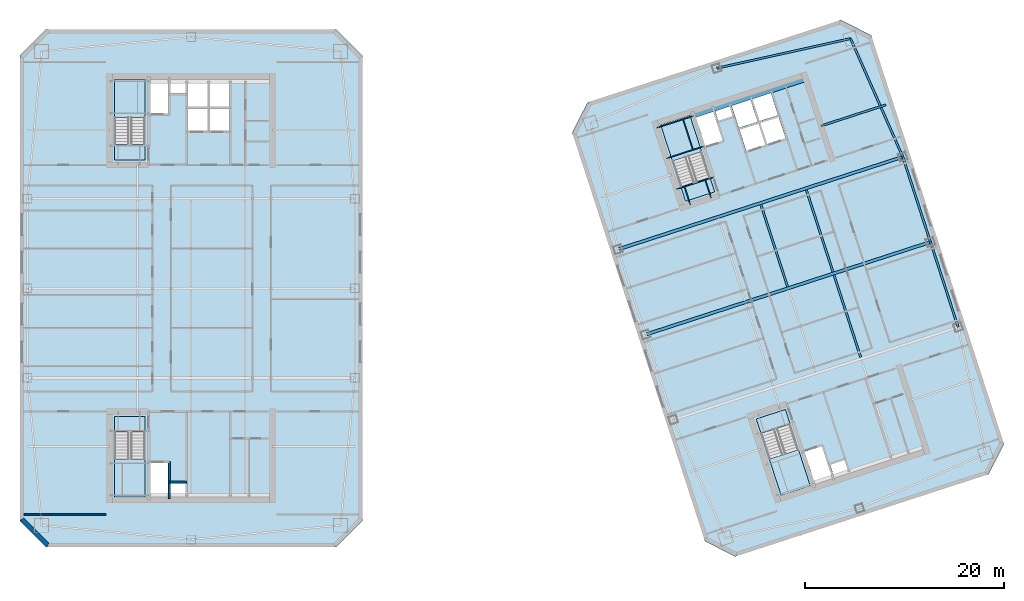
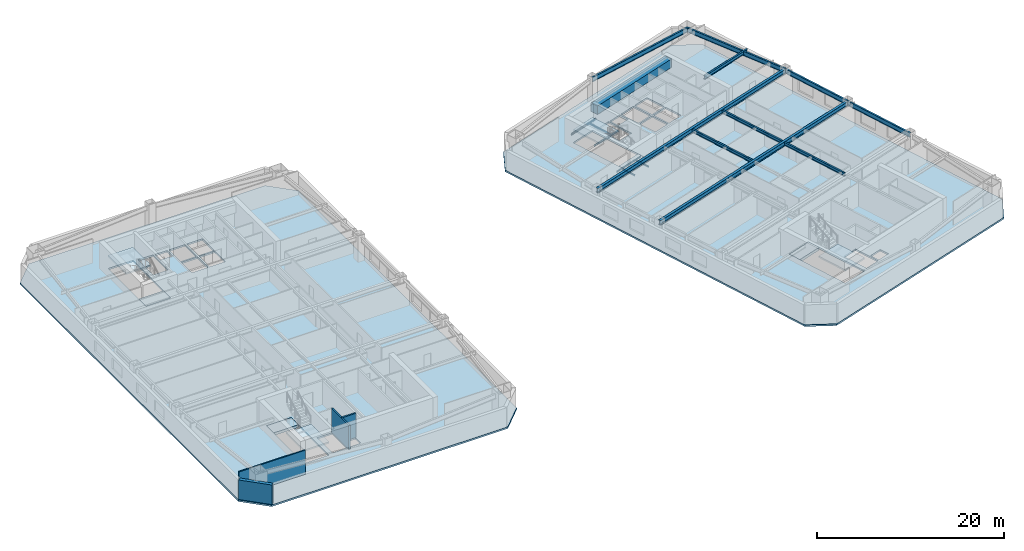
# One storey, part 4 of 13: 17 beams, 10 slabs, 4 walls, 4 elements without a shape of their own.
"""IFC4 building model written with IfcOpenShell, lengths in metres."""

from ifc_helpers import new_model, si_unit, direction, frame, frame_2d, origin, origin_2d, place, context, subcontext, project, spatial, polyline, rectangle, i_section, outline, extrude, material, layer, layer_set, material_profile, profile_set, type_object, element, aggregate, save


model = new_model("IFC4")

# Units and contexts
model_context = context("Model", 3, precision=1e-05, world=origin(), true_north=direction((0.0, 1.0)))
body_context = subcontext(model_context, "Body", "Model", "MODEL_VIEW")
ifc_project = project(units=[si_unit("LENGTHUNIT", "METRE"), si_unit("AREAUNIT", "SQUARE_METRE"), si_unit("VOLUMEUNIT", "CUBIC_METRE"), si_unit("PLANEANGLEUNIT", "RADIAN"), si_unit("MASSUNIT", "GRAM", prefix="KILO")], contexts=[model_context])

# Site, building, storey
site_placement = place(None, origin())
site = spatial("IfcSite", under=ifc_project, at=site_placement, CompositionType="ELEMENT")
building_placement = place(site_placement, origin())
building = spatial("IfcBuilding", under=site, at=building_placement, Name="Qiaolan Cultural Towers", CompositionType="ELEMENT")
storey_placement = place(building_placement, frame((0.0, 0.0, 180.550048828125)))
storey = spatial("IfcBuildingStorey", under=building, at=storey_placement, Name="L48", CompositionType="ELEMENT", Elevation=180.550048828125)

# Beams
ifc_material_1 = material(Name="Steel Q355B", Category="steel")
ifc_material_profile_1 = material_profile(ifc_material_1, i_section(OverallWidth=0.300048828125, OverallDepth=0.587890625, WebThickness=0.011962890625, FlangeThickness=0.02001953125, at=origin_2d()), Name="HM588x300x12x20")
ifc_profile_set_1 = profile_set([ifc_material_profile_1], Name="Steel Q355B")
beam_type_1 = type_object("IfcBeamType", Name="BM-HM588x300x12x20", PredefinedType="BEAM", material=ifc_profile_set_1)
beam_1_placement = place(storey_placement, frame((75.6865234375, 29.349365234375, 2.8759765625), z_axis=(0.951058384903, 0.309011243331, 0.0), x_axis=(-0.309011243331, 0.951058384903, 0.0)))
element("IfcBeam", 1, at=beam_1_placement, inside=storey, type_object=beam_type_1, Name="L48 T2 Primary Transverse Girder V2", PredefinedType="BEAM", context=body_context, shape_type="SweptSolid", body=[
    extrude(i_section(OverallWidth=0.300048828125, OverallDepth=0.587890625, WebThickness=0.011962890625, FlangeThickness=0.02001953125, at=origin_2d()), origin(), (0.0, 0.0, 1.0), 30.10009765625),
])
beam_2_placement = place(storey_placement, frame((72.905517578125, 37.90869140625, 2.8759765625), z_axis=(0.951055226628, 0.309020963535, 0.0), x_axis=(-0.309020963535, 0.951055226628, 0.0)))
element("IfcBeam", 2, at=beam_2_placement, inside=storey, type_object=beam_type_1, Name="L48 T2 Primary Transverse Girder V3", PredefinedType="BEAM", context=body_context, shape_type="SweptSolid", body=[
    extrude(i_section(OverallWidth=0.300048828125, OverallDepth=0.587890625, WebThickness=0.011962890625, FlangeThickness=0.02001953125, at=origin_2d()), origin(), (0.0, 0.0, 1.0), 30.099853515625),
])
ifc_material_2 = material(Name="Steel Q355B", Category="steel")
ifc_material_profile_2 = material_profile(ifc_material_2, i_section(OverallWidth=0.199951171875, OverallDepth=0.39990234375, WebThickness=0.008056640625, FlangeThickness=0.012939453125, at=origin_2d()), Name="HN400x200x8x13")
ifc_profile_set_2 = profile_set([ifc_material_profile_2], Name="Steel Q355B")
beam_type_2 = type_object("IfcBeamType", Name="BM-JST-HN400x200x8x13", PredefinedType="JOIST", material=ifc_profile_set_2)
for number, where, z_axis, x_axis, name in (
    (3, (89.95361328125, 34.142578125, 2.969970703125), (-0.309020714809, 0.951055307445, 0.0), (-0.951055307445, -0.309020714809, 0.0), "L48 T2 Secondary Floor Joist U2-3"),
    (4, (97.2998046875, 27.06640625, 2.969970703125), (-0.309020714809, 0.951055307445, 0.0), (-0.951055307445, -0.309020714809, 0.0), "L48 T2 Secondary Floor Joist U3-2"),
    (5, (94.518798828125, 35.6259765625, 2.969970703125), (-0.309020714809, 0.951055307445, 0.0), (-0.951055307445, -0.309020714809, 0.0), "L48 T2 Secondary Floor Joist U3-3"),
):
    element("IfcBeam", number, at=place(storey_placement, frame(where, z_axis=z_axis, x_axis=x_axis)), inside=storey, type_object=beam_type_2, Name=name, PredefinedType="JOIST", context=body_context, shape_type="SweptSolid", body=[
        extrude(i_section(OverallWidth=0.199951171875, OverallDepth=0.39990234375, WebThickness=0.008056640625, FlangeThickness=0.012939453125, at=origin_2d()), origin(), (0.0, 0.0, 1.0), 8.699951171875),
    ])
ifc_material_3 = material(Name="Steel Q355B", Category="steel")
ifc_material_profile_3 = material_profile(ifc_material_3, i_section(OverallWidth=0.199951171875, OverallDepth=0.449951171875, WebThickness=0.009033203125, FlangeThickness=0.013916015625, at=origin_2d()), Name="HN450x200x9x14")
ifc_profile_set_3 = profile_set([ifc_material_profile_3], Name="Steel Q355B")
beam_type_3 = type_object("IfcBeamType", Name="BM-LNT-HN450x200x9x14", PredefinedType="LINTEL", material=ifc_profile_set_3)
beam_3_placement = place(storey_placement, frame((93.31787109375, 50.32421875, 2.945068359375), z_axis=(0.951061565824, 0.30900145309, 0.0), x_axis=(-0.30900145309, 0.951061565824, 0.0)))
element("IfcBeam", 6, at=beam_3_placement, inside=storey, type_object=beam_type_3, Name="L48 T2 Core Flank Tie Lintel EN", PredefinedType="LINTEL", context=body_context, shape_type="SweptSolid", body=[
    extrude(i_section(OverallWidth=0.199951171875, OverallDepth=0.449951171875, WebThickness=0.009033203125, FlangeThickness=0.013916015625, at=origin_2d()), origin(), (0.0, 0.0, 1.0), 6.85009765625),
])
ifc_material_4 = material(Name="Concrete C50", Category="concrete")
ifc_material_profile_4 = material_profile(ifc_material_4, rectangle(XDim=0.89990234375, YDim=1.10009765625, at=origin_2d()), Name="RC900x1100")
ifc_profile_set_4 = profile_set([ifc_material_profile_4], Name="Concrete C50")
beam_type_4 = type_object("IfcBeamType", Name="BM-RC900x1100", PredefinedType="BEAM", material=ifc_profile_set_4)
beam_4_placement = place(storey_placement, frame((80.427978515625, 51.551025390625, 2.619873046875), z_axis=(0.951056266386, 0.309017763514, 0.0), x_axis=(-0.309017763514, 0.951056266386, 0.0)))
element("IfcBeam", 7, at=beam_4_placement, inside=storey, type_object=beam_type_4, Name="L48 T2 Core Header Girder N", PredefinedType="BEAM", context=body_context, shape_type="SweptSolid", body=[
    extrude(rectangle(XDim=0.89990234375, YDim=1.10009765625, at=origin_2d()), origin(), (0.0, 0.0, 1.0), 11.880126953125),
])
ifc_material_5 = material(Name="Steel Q355B", Category="steel")
ifc_material_profile_5 = material_profile(ifc_material_5, i_section(OverallWidth=0.199951171875, OverallDepth=0.60009765625, WebThickness=0.010986328125, FlangeThickness=0.01708984375, at=origin_2d()), Name="HN600x200x11x17")
ifc_profile_set_5 = profile_set([ifc_material_profile_5], Name="Steel Q355B")
beam_type_5 = type_object("IfcBeamType", Name="BM-SPD-HN600x200x11x17", PredefinedType="SPANDREL", material=ifc_profile_set_5)
beam_5_placement = place(storey_placement, frame((107.094482421875, 30.09130859375, 2.869873046875), z_axis=(-0.309008170129, 0.951059383421, 0.0), x_axis=(-0.951059383421, -0.309008170129, 0.0)))
element("IfcBeam", 8, at=beam_5_placement, inside=storey, type_object=beam_type_5, Name="L48 T2 Perimeter Spandrel Beam 4", PredefinedType="SPANDREL", context=body_context, shape_type="SweptSolid", body=[
    extrude(i_section(OverallWidth=0.199951171875, OverallDepth=0.60009765625, WebThickness=0.010986328125, FlangeThickness=0.01708984375, at=origin_2d()), origin(), (0.0, 0.0, 1.0), 8.999755859375),
])
beam_6_placement = place(storey_placement, frame((104.3134765625, 38.650634765625, 2.869873046875), z_axis=(-0.309024734286, 0.951054001411, 0.0), x_axis=(-0.951054001411, -0.309024734286, 0.0)))
element("IfcBeam", 9, at=beam_6_placement, inside=storey, type_object=beam_type_5, Name="L48 T2 Perimeter Spandrel Beam 5", PredefinedType="SPANDREL", context=body_context, shape_type="SweptSolid", body=[
    extrude(i_section(OverallWidth=0.199951171875, OverallDepth=0.60009765625, WebThickness=0.010986328125, FlangeThickness=0.01708984375, at=origin_2d()), origin(), (0.0, 0.0, 1.0), 9.0),
])
beam_7_placement = place(storey_placement, frame((101.5322265625, 47.210205078125, 2.869873046875), z_axis=(-0.404011070002, 0.914754095545, 0.0), x_axis=(-0.914754095545, -0.404011070002, 0.0)))
element("IfcBeam", 10, at=beam_7_placement, inside=storey, type_object=beam_type_5, Name="L48 T2 Perimeter Spandrel Beam 6", PredefinedType="SPANDREL", context=body_context, shape_type="SweptSolid", body=[
    extrude(i_section(OverallWidth=0.199951171875, OverallDepth=0.60009765625, WebThickness=0.010986328125, FlangeThickness=0.01708984375, at=origin_2d()), origin(), (0.0, 0.0, 1.0), 12.9970703125),
])
beam_8_placement = place(storey_placement, frame((96.28125, 59.099365234375, 2.869873046875), z_axis=(-0.976265293399, -0.216578108094, 0.0), x_axis=(0.216578108094, -0.976265293399, 0.0)))
element("IfcBeam", 11, at=beam_8_placement, inside=storey, type_object=beam_type_5, Name="L48 T2 Perimeter Spandrel Beam 7", PredefinedType="SPANDREL", context=body_context, shape_type="SweptSolid", body=[
    extrude(i_section(OverallWidth=0.199951171875, OverallDepth=0.60009765625, WebThickness=0.010986328125, FlangeThickness=0.01708984375, at=origin_2d()), origin(), (0.0, 0.0, 1.0), 13.793212890625),
])
ifc_material_6 = material(Name="Steel Q355B", Category="steel")
ifc_material_profile_6 = material_profile(ifc_material_6, i_section(OverallWidth=0.10009765625, OverallDepth=0.199951171875, WebThickness=0.005615234375, FlangeThickness=0.008056640625, at=origin_2d()), Name="HN200x100x5.5x8")
ifc_profile_set_6 = profile_set([ifc_material_profile_6], Name="Steel Q355B")
beam_type_6 = type_object("IfcBeamType", Name="BM-STTRIM-200", PredefinedType="BEAM", material=ifc_profile_set_6)
beam_9_placement = place(storey_placement, frame((78.773193359375, 43.958251953125, -0.4599609375), z_axis=(0.951072048947, 0.3089691857, 0.0), x_axis=(-0.3089691857, 0.951072048947, 0.0)))
element("IfcBeam", 12, at=beam_9_placement, inside=storey, type_object=beam_type_6, Name="L48 ST-E2 Floor Landing Header Beam", PredefinedType="BEAM", context=body_context, shape_type="SweptSolid", body=[
    extrude(i_section(OverallWidth=0.10009765625, OverallDepth=0.199951171875, WebThickness=0.005615234375, FlangeThickness=0.008056640625, at=origin_2d()), origin(), (0.0, 0.0, 1.0), 3.920166015625),
])
for number, where, z_axis, x_axis, name in (
    (13, (80.18115234375, 42.375732421875, -0.4599609375), (-0.308969394428, 0.951071981138, 0.0), (-0.951071981138, -0.308969394428, 0.0), "L48 ST-E2 Floor Landing Stringer 1"),
    (14, (82.2734375, 43.0556640625, -0.4599609375), (-0.308969394428, 0.951071981138, 0.0), (-0.951071981138, -0.308969394428, 0.0), "L48 ST-E2 Floor Landing Stringer 2"),
):
    element("IfcBeam", number, at=place(storey_placement, frame(where, z_axis=z_axis, x_axis=x_axis)), inside=storey, type_object=beam_type_6, Name=name, PredefinedType="BEAM", context=body_context, shape_type="SweptSolid", body=[
        extrude(i_section(OverallWidth=0.10009765625, OverallDepth=0.199951171875, WebThickness=0.005615234375, FlangeThickness=0.008056640625, at=origin_2d()), origin(), (0.0, 0.0, 1.0), 1.93994140625),
    ])
for number, where, z_axis, x_axis, name in (
    (15, (77.769287109375, 47.0478515625, 1.425048828125), (0.951053746643, 0.309025518358, 0.0), (-0.309025518358, 0.951053746643, 0.0), "L48 ST-E2 Stair Landing Support Beam 1-1"),
    (16, (76.770751953125, 50.12109375, 1.425048828125), (0.951072048947, 0.3089691857, 0.0), (-0.3089691857, 0.951072048947, 0.0), "L48 ST-E2 Stair Landing Support Beam 1-2"),
):
    element("IfcBeam", number, at=place(storey_placement, frame(where, z_axis=z_axis, x_axis=x_axis)), inside=storey, type_object=beam_type_6, Name=name, PredefinedType="BEAM", context=body_context, shape_type="SweptSolid", body=[
        extrude(i_section(OverallWidth=0.10009765625, OverallDepth=0.199951171875, WebThickness=0.005615234375, FlangeThickness=0.008056640625, at=origin_2d()), origin(), (0.0, 0.0, 1.0), 3.920166015625),
    ])
beam_10_placement = place(storey_placement, frame((80.44189453125, 47.916259765625, 1.425048828125), z_axis=(-0.309033108495, 0.951051280349, 0.0), x_axis=(-0.951051280349, -0.309033108495, 0.0)))
element("IfcBeam", 17, at=beam_10_placement, inside=storey, type_object=beam_type_6, Name="L48 ST-E2 Stair Landing Trimmer 1", PredefinedType="BEAM", context=body_context, shape_type="SweptSolid", body=[
    extrude(i_section(OverallWidth=0.10009765625, OverallDepth=0.199951171875, WebThickness=0.005615234375, FlangeThickness=0.008056640625, at=origin_2d()), origin(), (0.0, 0.0, 1.0), 3.231201171875),
])

# Stair, slab
ifc_material_7 = material(Name="Concrete C45", Category="concrete")
stair_type = type_object("IfcStairType", Name="STR-CORE-1500", PredefinedType="HALF_TURN_STAIR", material=ifc_material_7)
stair_1_placement = place(storey_placement, origin())
stair_1 = element("IfcStair", 18, at=stair_1_placement, inside=storey, type_object=stair_type, Name="L48 Smokeproof Exit Stair ST-W1", PredefinedType="HALF_TURN_STAIR")
ifc_material_8 = material(Name="Concrete C45", Category="concrete")
ifc_layer_1 = layer(ifc_material_8, 0.199951171875)
ifc_layer_set_1 = layer_set([ifc_layer_1], Name="Concrete C45")
slab_type_1 = type_object("IfcSlabType", Name="SL-STAIR-LAND", PredefinedType="LANDING", material=ifc_layer_set_1)
slab_1_placement = place(storey_placement, frame((0.0, 0.0, 1.52490234375)))
slab_1 = element("IfcSlab", 19, at=slab_1_placement, type_object=slab_type_1, Name="ST-W1 landing 1", PredefinedType="LANDING", context=body_context, shape_type="SweptSolid", body=[
    extrude(outline(polyline([(22.300048828125, 16.851318359375), (22.300048828125, 13.0), (25.3798828125, 13.0), (25.3798828125, 16.851318359375), (22.300048828125, 16.851318359375)])), origin(), (0.0, 0.0, 1.0), 0.199951171875),
])
aggregate(stair_1, [slab_1])

stair_2_placement = place(storey_placement, origin())
stair_2 = element("IfcStair", 20, at=stair_2_placement, inside=storey, type_object=stair_type, Name="L48 Smokeproof Exit Stair ST-W2", PredefinedType="HALF_TURN_STAIR")
slab_2_placement = place(storey_placement, frame((0.0, 0.0, 1.52490234375)))
slab_2 = element("IfcSlab", 21, at=slab_2_placement, type_object=slab_type_1, Name="ST-W2 landing 1", PredefinedType="LANDING", context=body_context, shape_type="SweptSolid", body=[
    extrude(outline(polyline([(25.3798828125, 51.148681640625), (25.3798828125, 55.0), (22.300048828125, 55.0), (22.300048828125, 51.148681640625), (25.3798828125, 51.148681640625)])), origin(), (0.0, 0.0, 1.0), 0.199951171875),
])
aggregate(stair_2, [slab_2])

stair_3_placement = place(storey_placement, origin())
stair_3 = element("IfcStair", 22, at=stair_3_placement, inside=storey, type_object=stair_type, Name="L48 Smokeproof Exit Stair ST-E1", PredefinedType="HALF_TURN_STAIR")
slab_3_placement = place(storey_placement, frame((0.0, 0.0, 1.52490234375)))
slab_3 = element("IfcSlab", 23, at=slab_3_placement, type_object=slab_type_1, Name="ST-E1 landing 1", PredefinedType="LANDING", context=body_context, shape_type="SweptSolid", body=[
    extrude(outline(polyline([(88.114013671875, 16.828125), (89.30419921875, 13.165283203125), (92.2333984375, 14.116943359375), (91.04345703125, 17.77978515625), (88.114013671875, 16.828125)])), origin(), (0.0, 0.0, 1.0), 0.199951171875),
])
aggregate(stair_3, [slab_3])

stair_4_placement = place(storey_placement, origin())
stair_4 = element("IfcStair", 24, at=stair_4_placement, inside=storey, type_object=stair_type, Name="L48 Smokeproof Exit Stair ST-E2", PredefinedType="HALF_TURN_STAIR")
slab_4_placement = place(storey_placement, frame((0.0, 0.0, 1.52490234375)))
slab_4 = element("IfcSlab", 25, at=slab_4_placement, type_object=slab_type_1, Name="ST-E2 landing 1", PredefinedType="LANDING", context=body_context, shape_type="SweptSolid", body=[
    extrude(outline(polyline([(81.31005859375, 47.735595703125), (80.1201171875, 51.3984375), (77.190673828125, 50.44677734375), (78.380859375, 46.783935546875), (81.31005859375, 47.735595703125)])), origin(), (0.0, 0.0, 1.0), 0.199951171875),
])
aggregate(stair_4, [slab_4])

# Slabs
ifc_material_9 = material(Name="Concrete C40", Category="concrete")
ifc_layer_2 = layer(ifc_material_9, 0.360107421875)
ifc_layer_set_2 = layer_set([ifc_layer_2], Name="Concrete C40")
slab_type_2 = type_object("IfcSlabType", Name="SL-STFLR-360", PredefinedType="LANDING", material=ifc_layer_set_2)
slab_5_placement = place(storey_placement, frame((0.0, 0.0, -0.360107421875)))
element("IfcSlab", 26, at=slab_5_placement, inside=storey, type_object=slab_type_2, Name="L48 ST-W1 Stair Floor Landing Slab", PredefinedType="LANDING", context=body_context, shape_type="SweptSolid", body=[
    extrude(outline(polyline([(22.302001953125, 21.097900390625), (22.302001953125, 19.548583984375), (25.3779296875, 19.548583984375), (25.3779296875, 21.097900390625), (22.302001953125, 21.097900390625)])), origin(), (0.0, 0.0, 1.0), 0.360107421875),
])
slab_6_placement = place(storey_placement, frame((0.0, 0.0, -0.360107421875)))
element("IfcSlab", 27, at=slab_6_placement, inside=storey, type_object=slab_type_2, Name="L48 ST-W2 Stair Floor Landing Slab", PredefinedType="LANDING", context=body_context, shape_type="SweptSolid", body=[
    extrude(outline(polyline([(25.3779296875, 46.902099609375), (25.3779296875, 48.451416015625), (22.302001953125, 48.451416015625), (22.302001953125, 46.902099609375), (25.3779296875, 46.902099609375)])), origin(), (0.0, 0.0, 1.0), 0.360107421875),
])
slab_7_placement = place(storey_placement, frame((0.0, 0.0, -0.360107421875)))
element("IfcSlab", 28, at=slab_7_placement, inside=storey, type_object=slab_type_2, Name="L48 ST-E1 Stair Floor Landing Slab", PredefinedType="LANDING", context=body_context, shape_type="SweptSolid", body=[
    extrude(outline(polyline([(86.8037109375, 20.867431640625), (87.282470703125, 19.39404296875), (90.2080078125, 20.3447265625), (89.729248046875, 21.818115234375), (86.8037109375, 20.867431640625)])), origin(), (0.0, 0.0, 1.0), 0.360107421875),
])
slab_8_placement = place(storey_placement, frame((0.0, 0.0, -0.360107421875)))
element("IfcSlab", 29, at=slab_8_placement, inside=storey, type_object=slab_type_2, Name="L48 ST-E2 Stair Floor Landing Slab", PredefinedType="LANDING", context=body_context, shape_type="SweptSolid", body=[
    extrude(outline(polyline([(82.62060546875, 43.6962890625), (82.141845703125, 45.169677734375), (79.21630859375, 44.21923828125), (79.695068359375, 42.74560546875), (82.62060546875, 43.6962890625)])), origin(), (0.0, 0.0, 1.0), 0.360107421875),
])
ifc_material_10 = material(Name="Concrete C45", Category="concrete")
ifc_layer_3 = layer(ifc_material_10, 0.219970703125)
ifc_layer_set_3 = layer_set([ifc_layer_3], Name="Concrete C45")
slab_type_3 = type_object("IfcSlabType", Name="SL-TYP-220", PredefinedType="FLOOR", material=ifc_layer_set_3)
slab_9_placement = place(storey_placement, frame((0.0, 0.0, -0.219970703125)))
element("IfcSlab", 30, at=slab_9_placement, inside=storey, type_object=slab_type_3, Name="L48 West Tower Floor Slab", PredefinedType="FLOOR", context=body_context, shape_type="SweptSolid", body=[
    extrude(outline(polyline([(15.39990234375, 8.0), (44.60009765625, 8.0), (47.199951171875, 10.60009765625), (47.199951171875, 57.39990234375), (44.60009765625, 60.0), (15.39990234375, 60.0), (12.800048828125, 57.39990234375), (12.800048828125, 10.60009765625), (15.39990234375, 8.0)]), holes=[polyline([(22.300048828125, 21.10009765625), (22.300048828125, 13.0), (25.3798828125, 13.0), (25.3798828125, 21.10009765625), (22.300048828125, 21.10009765625)]), polyline([(25.3798828125, 46.89990234375), (25.3798828125, 55.0), (22.300048828125, 55.0), (22.300048828125, 46.89990234375), (25.3798828125, 46.89990234375)]), polyline([(25.89990234375, 13.199951171875), (27.75, 13.199951171875), (27.75, 16.449951171875), (25.89990234375, 16.449951171875), (25.89990234375, 13.199951171875)]), polyline([(27.93994140625, 13.25), (29.449951171875, 13.25), (29.449951171875, 14.419921875), (27.93994140625, 14.419921875), (27.93994140625, 13.25)]), polyline([(25.89990234375, 51.550048828125), (27.75, 51.550048828125), (27.75, 54.800048828125), (25.89990234375, 54.800048828125), (25.89990234375, 51.550048828125)]), polyline([(27.93994140625, 53.580078125), (29.449951171875, 53.580078125), (29.449951171875, 54.75), (27.93994140625, 54.75), (27.93994140625, 53.580078125)]), polyline([(29.679931640625, 49.820068359375), (31.679931640625, 49.820068359375), (31.679931640625, 52.080078125), (29.679931640625, 52.080078125), (29.679931640625, 49.820068359375)]), polyline([(31.8798828125, 49.820068359375), (33.820068359375, 49.820068359375), (33.820068359375, 52.080078125), (31.8798828125, 52.080078125), (31.8798828125, 49.820068359375)]), polyline([(29.679931640625, 52.27001953125), (31.659912109375, 52.27001953125), (31.659912109375, 54.75), (29.679931640625, 54.75), (29.679931640625, 52.27001953125)]), polyline([(31.8798828125, 52.27001953125), (33.820068359375, 52.27001953125), (33.820068359375, 54.75), (31.8798828125, 54.75), (31.8798828125, 52.27001953125)])]), origin(), (0.0, 0.0, 1.0), 0.219970703125),
])
slab_10_placement = place(storey_placement, frame((0.0, 0.0, -0.219970703125)))
element("IfcSlab", 31, at=slab_10_placement, inside=storey, type_object=slab_type_3, Name="L48 East Tower Floor Slab", PredefinedType="FLOOR", context=body_context, shape_type="SweptSolid", body=[
    extrude(outline(polyline([(84.67236328125, 7.033935546875), (110.16064453125, 15.3154296875), (111.701416015625, 18.339599609375), (98.351806640625, 59.42529296875), (95.32763671875, 60.966064453125), (69.83935546875, 52.6845703125), (68.298583984375, 49.660400390625), (81.648193359375, 8.57470703125), (84.67236328125, 7.033935546875)]), holes=[polyline([(86.80126953125, 20.868896484375), (89.30419921875, 13.165283203125), (92.2333984375, 14.116943359375), (89.73046875, 21.820556640625), (86.80126953125, 20.868896484375)]), polyline([(82.623046875, 43.69482421875), (80.1201171875, 51.3984375), (77.190673828125, 50.44677734375), (79.69384765625, 42.7431640625), (82.623046875, 43.69482421875)]), polyline([(92.666259765625, 14.468017578125), (94.42578125, 15.03955078125), (93.42138671875, 18.130615234375), (91.661865234375, 17.558837890625), (92.666259765625, 14.468017578125)]), polyline([(94.5908203125, 15.14599609375), (96.027099609375, 15.612548828125), (95.66552734375, 16.725341796875), (94.2294921875, 16.258544921875), (94.5908203125, 15.14599609375)]), polyline([(81.6806640625, 48.278076171875), (83.440185546875, 48.849609375), (82.435791015625, 51.940673828125), (80.67626953125, 51.368896484375), (81.6806640625, 48.278076171875)]), polyline([(82.993408203125, 50.839111328125), (84.4296875, 51.3056640625), (84.068115234375, 52.41845703125), (82.632080078125, 51.95166015625), (82.993408203125, 50.839111328125)]), polyline([(85.810302734375, 47.80078125), (87.71240234375, 48.418701171875), (87.013916015625, 50.568115234375), (85.11181640625, 49.9501953125), (85.810302734375, 47.80078125)]), polyline([(87.902587890625, 48.480712890625), (89.74755859375, 49.080078125), (89.04931640625, 51.2294921875), (87.2041015625, 50.6298828125), (87.902587890625, 48.480712890625)]), polyline([(85.05322265625, 50.130859375), (86.936279296875, 50.74267578125), (86.169921875, 53.101318359375), (84.286865234375, 52.489501953125), (85.05322265625, 50.130859375)]), polyline([(87.1455078125, 50.810791015625), (88.990478515625, 51.41015625), (88.22412109375, 53.768798828125), (86.379150390625, 53.169189453125), (87.1455078125, 50.810791015625)])]), origin(), (0.0, 0.0, 1.0), 0.219970703125),
])

# Walls
ifc_material_11 = material(Name="Precast Concrete C50 Honed Stone Pier", Category="masonry")
ifc_layer_4 = layer(ifc_material_11, 0.39990234375)
ifc_layer_set_4 = layer_set([ifc_layer_4], Name="Precast Concrete C50 Honed Stone Pier")
wall_type_1 = type_object("IfcWallType", Name="WL-EXT-PIER-400", PredefinedType="SOLIDWALL", material=ifc_layer_set_4)
wall_1_placement = place(storey_placement, frame((15.60009765625, 8.199951171875, 0.0), z_axis=(0.0, 0.0, 1.0), x_axis=(-0.707106781187, 0.707106781187, 0.0)))
element("IfcWall", 32, at=wall_1_placement, inside=storey, type_object=wall_type_1, Name="L48 West Tower Precast Pier Facade Wall F8", PredefinedType="SOLIDWALL", context=body_context, shape_type="SweptSolid", body=[
    extrude(rectangle(XDim=3.677001953125, YDim=0.39990234375, at=frame_2d((1.83837890625, 0.0))), origin(), (0.0, 0.0, 1.0), 2.550048828125),
])
ifc_material_12 = material(Name="Concrete C35 Fire Wall", Category="concrete")
ifc_layer_5 = layer(ifc_material_12, 0.199951171875)
ifc_layer_set_5 = layer_set([ifc_layer_5], Name="Concrete C35 Fire Wall")
wall_type_2 = type_object("IfcWallType", Name="WL-FIRE-200", PredefinedType="PARTITIONING", material=ifc_layer_set_5)
wall_2_placement = place(storey_placement, frame((27.820068359375, 16.550048828125, 0.0), z_axis=(0.0, 0.0, 1.0), x_axis=(0.0, -1.0, 0.0)))
element("IfcWall", 33, at=wall_2_placement, inside=storey, type_object=wall_type_2, Name="L48 T1-CS Firefighting Hoistway East Wall", PredefinedType="PARTITIONING", context=body_context, shape_type="SweptSolid", body=[
    extrude(rectangle(XDim=3.699951171875, YDim=0.199951171875, at=frame_2d((1.85009765625, 0.0))), origin(), (0.0, 0.0, 1.0), 3.155029296875),
])
wall_3_placement = place(storey_placement, frame((27.820068359375, 14.52001953125, 0.0), z_axis=(0.0, 0.0, 1.0), x_axis=(1.0, 0.0, 0.0)))
element("IfcWall", 34, at=wall_3_placement, inside=storey, type_object=wall_type_2, Name="L48 T1-CS Pressurization Shaft Front Wall", PredefinedType="PARTITIONING", context=body_context, shape_type="SweptSolid", body=[
    extrude(rectangle(XDim=1.72998046875, YDim=0.199951171875, at=frame_2d((0.864990234375, 0.0))), origin(), (0.0, 0.0, 1.0), 3.155029296875),
])
ifc_material_13 = material(Name="Autoclaved Aerated Concrete Block B06", Category="concrete")
ifc_layer_6 = layer(ifc_material_13, 0.14990234375)
ifc_layer_set_6 = layer_set([ifc_layer_6], Name="Autoclaved Aerated Concrete Block B06")
wall_type_3 = type_object("IfcWallType", Name="WL-PART-150", PredefinedType="PARTITIONING", material=ifc_layer_set_6)
wall_4_placement = place(storey_placement, frame((13.199951171875, 11.25, 0.0), z_axis=(0.0, 0.0, 1.0), x_axis=(1.0, 0.0, 0.0)))
element("IfcWall", 35, at=wall_4_placement, inside=storey, type_object=wall_type_3, Name="L48 T1 Flank Wall FLK-SW", PredefinedType="PARTITIONING", context=body_context, shape_type="SweptSolid", body=[
    extrude(rectangle(XDim=8.199951171875, YDim=0.14990234375, at=frame_2d((4.10009765625, 0.0))), origin(), (0.0, 0.0, 1.0), 3.155029296875),
])

save(model, "model.ifc")
